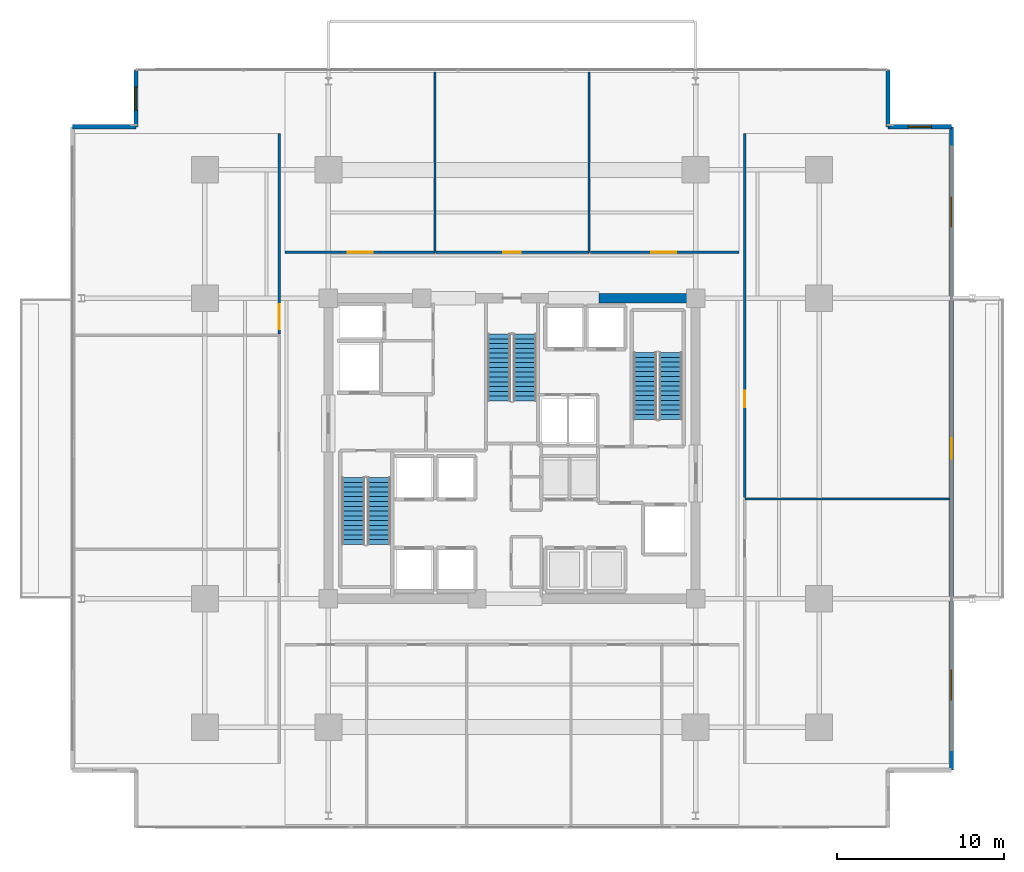
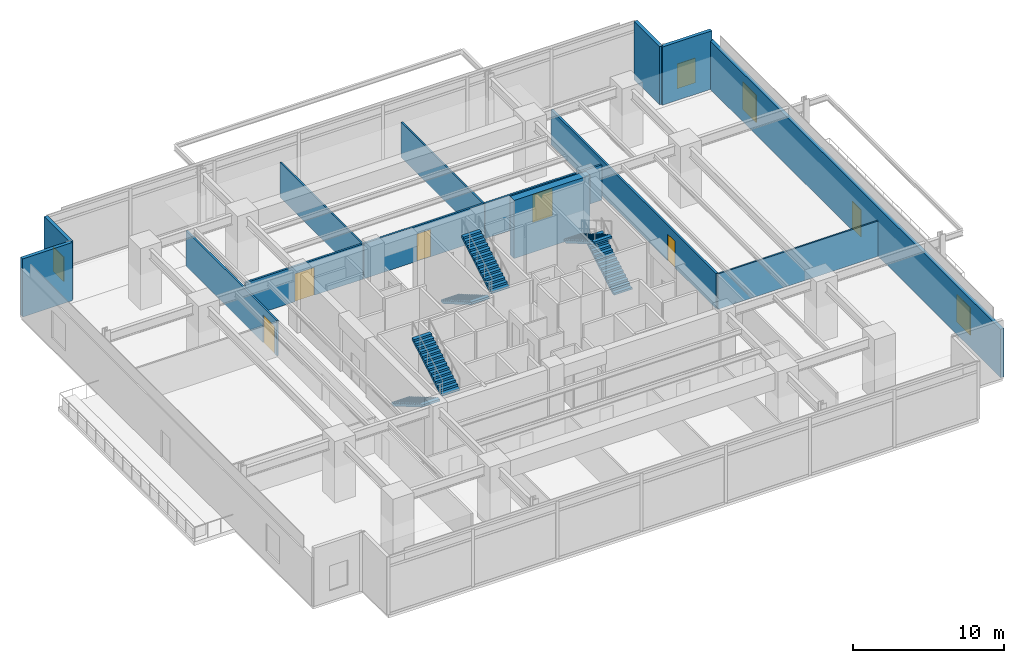
# One storey, part 19 of 24: 14 walls, 6 doors, 6 stair flights, 4 windows, 10 openings, 3 elements without a shape of their own.
"""IFC4 building model written with IfcOpenShell, lengths in metres."""

from ifc_helpers import new_model, si_unit, direction, frame, frame_2d, origin, place, context, subcontext, project, spatial, polyline, rectangle, outline, extrude, material, layer, layer_set, type_object, element, fill, aggregate, save


model = new_model("IFC4")

# Units and contexts
model_context = context("Model", 3, precision=1e-05, world=origin(), true_north=direction((0.0, 1.0)))
body_context = subcontext(model_context, "Body", "Model", "MODEL_VIEW")
ifc_project = project(units=[si_unit("LENGTHUNIT", "METRE"), si_unit("AREAUNIT", "SQUARE_METRE"), si_unit("VOLUMEUNIT", "CUBIC_METRE"), si_unit("PLANEANGLEUNIT", "RADIAN"), si_unit("MASSUNIT", "GRAM", prefix="KILO")], contexts=[model_context])

# Site, building, storey
site_placement = place(None, origin())
site = spatial("IfcSite", under=ifc_project, at=site_placement, CompositionType="ELEMENT")
building_placement = place(site_placement, origin())
building = spatial("IfcBuilding", under=site, at=building_placement, Name="Kovane Verandah Tower", CompositionType="ELEMENT")
storey_placement = place(building_placement, frame((0.0, 0.0, 118.39990234375)))
storey = spatial("IfcBuildingStorey", under=building, at=storey_placement, Name="L27", CompositionType="ELEMENT", Elevation=118.39990234375)

# Wall, opening, door
ifc_material_1 = material(Name="Fire-Rated Gypsum Stud Partition", Category="gypsum")
ifc_layer_1 = layer(ifc_material_1, 0.14990234375)
ifc_layer_set_1 = layer_set([ifc_layer_1], Name="Fire-Rated Gypsum Stud Partition")
wall_type_1 = type_object("IfcWallType", Name="WL-COR-150", PredefinedType="PARTITIONING", material=ifc_layer_set_1)
wall_1_placement = place(storey_placement, frame((26.39990234375, 39.25, 0.0), z_axis=(0.0, 0.0, 1.0), x_axis=(1.0, 0.0, 0.0)))
wall_1 = element("IfcWall", 1, at=wall_1_placement, inside=storey, type_object=wall_type_1, Name="L27 Sky Lobby Transfer Lounge N1 Corridor Partition", PredefinedType="PARTITIONING", context=body_context, shape_type="SweptSolid", body=[
    extrude(rectangle(XDim=8.97607421875, YDim=0.14990234375, at=frame_2d((4.488037109375, 0.0))), origin(), (0.0, 0.0, 1.0), 2.85009765625),
])
opening_1_placement = place(wall_1_placement, frame((3.7529296875, 0.0, 0.0)))
opening_1 = element("IfcOpeningElement", 2, at=opening_1_placement, cuts=wall_1, Name="Opening DR-L27-016", PredefinedType="OPENING", context=body_context, shape_type="SweptSolid", body=[
    extrude(rectangle(XDim=1.5, YDim=2.25, at=frame_2d((0.75, 1.125))), frame((0.0, 0.074951171875, 0.0), z_axis=(0.0, -1.0, 0.0), x_axis=(1.0, 0.0, 0.0)), (0.0, 0.0, 1.0), 0.14990234375),
])
ifc_material_2 = material(Name="Glazed Timber Fire-Rated Double Door", Category="wood")
door_type_1 = type_object("IfcDoorType", Name="DR-CONF-1500", OperationType="DOUBLE_DOOR_SINGLE_SWING", PredefinedType="DOOR", material=ifc_material_2)
door_1_placement = place(opening_1_placement, origin())
door_1 = element("IfcDoor", 3, at=door_1_placement, inside=storey, type_object=door_type_1, Name="L27 Sky Lobby Transfer Lounge N1 Entrance Door", OperationType="DOUBLE_DOOR_SINGLE_SWING", OverallHeight=2.25, OverallWidth=1.5, PredefinedType="DOOR", context=body_context, shape_type="SweptSolid", body=[
    extrude(rectangle(XDim=1.5, YDim=2.25, at=frame_2d((0.75, 1.125))), frame((0.0, 0.02490234375, 0.0), z_axis=(0.0, -1.0, 0.0), x_axis=(1.0, 0.0, 0.0)), (0.0, 0.0, 1.0), 0.050048828125),
])
fill(opening_1, door_1)

wall_2_placement = place(storey_placement, frame((35.446044921875, 39.25, 0.0), z_axis=(0.0, 0.0, 1.0), x_axis=(1.0, 0.0, 0.0)))
wall_2 = element("IfcWall", 4, at=wall_2_placement, inside=storey, type_object=wall_type_1, Name="L27 Executive Office N2 Corridor Partition", PredefinedType="PARTITIONING", context=body_context, shape_type="SweptSolid", body=[
    extrude(rectangle(XDim=9.177978515625, YDim=0.14990234375, at=frame_2d((4.5888671875, 0.0))), origin(), (0.0, 0.0, 1.0), 2.85009765625),
])
opening_2_placement = place(wall_2_placement, frame((4.029052734375, 0.0, 0.0)))
opening_2 = element("IfcOpeningElement", 5, at=opening_2_placement, cuts=wall_2, Name="Opening DR-L27-017", PredefinedType="OPENING", context=body_context, shape_type="SweptSolid", body=[
    extrude(rectangle(XDim=1.050048828125, YDim=2.199951171875, at=frame_2d((0.52490234375, 1.10009765625))), frame((0.0, 0.074951171875, 0.0), z_axis=(0.0, -1.0, 0.0), x_axis=(1.0, 0.0, 0.0)), (0.0, 0.0, 1.0), 0.14990234375),
])
ifc_material_3 = material(Name="FSC Blackbutt Timber Fire-Rated Executive Door", Category="wood")
door_type_2 = type_object("IfcDoorType", Name="DR-EXEC-1050", OperationType="SINGLE_SWING_LEFT", PredefinedType="DOOR", material=ifc_material_3)
door_2_placement = place(opening_2_placement, origin())
door_2 = element("IfcDoor", 6, at=door_2_placement, inside=storey, type_object=door_type_2, Name="L27 Executive Office N2 Entrance Door", OperationType="SINGLE_SWING_RIGHT", OverallHeight=2.199951171875, OverallWidth=1.050048828125, PredefinedType="DOOR", context=body_context, shape_type="SweptSolid", body=[
    extrude(rectangle(XDim=1.050048828125, YDim=2.199951171875, at=frame_2d((0.52490234375, 1.10009765625))), frame((0.0, 0.02490234375, 0.0), z_axis=(0.0, -1.0, 0.0), x_axis=(1.0, 0.0, 0.0)), (0.0, 0.0, 1.0), 0.050048828125),
])
fill(opening_2, door_2)

wall_3_placement = place(storey_placement, frame((44.694091796875, 39.25, 0.0), z_axis=(0.0, 0.0, 1.0), x_axis=(1.0, 0.0, 0.0)))
wall_3 = element("IfcWall", 7, at=wall_3_placement, inside=storey, type_object=wall_type_1, Name="L27 Client Boardroom N3 Corridor Partition", PredefinedType="PARTITIONING", context=body_context, shape_type="SweptSolid", body=[
    extrude(rectangle(XDim=8.906005859375, YDim=0.14990234375, at=frame_2d((4.453125, 0.0))), origin(), (0.0, 0.0, 1.0), 2.85009765625),
])
opening_3_placement = place(wall_3_placement, frame((3.653076171875, 0.0, 0.0)))
opening_3 = element("IfcOpeningElement", 8, at=opening_3_placement, cuts=wall_3, Name="Opening DR-L27-018", PredefinedType="OPENING", context=body_context, shape_type="SweptSolid", body=[
    extrude(rectangle(XDim=1.5, YDim=2.25, at=frame_2d((0.75, 1.125))), frame((0.0, 0.074951171875, 0.0), z_axis=(0.0, -1.0, 0.0), x_axis=(1.0, 0.0, 0.0)), (0.0, 0.0, 1.0), 0.14990234375),
])
door_3_placement = place(opening_3_placement, origin())
door_3 = element("IfcDoor", 9, at=door_3_placement, inside=storey, type_object=door_type_1, Name="L27 Client Boardroom N3 Entrance Door", OperationType="DOUBLE_DOOR_SINGLE_SWING", OverallHeight=2.25, OverallWidth=1.5, PredefinedType="DOOR", context=body_context, shape_type="SweptSolid", body=[
    extrude(rectangle(XDim=1.5, YDim=2.25, at=frame_2d((0.75, 1.125))), frame((0.0, 0.02490234375, 0.0), z_axis=(0.0, -1.0, 0.0), x_axis=(1.0, 0.0, 0.0)), (0.0, 0.0, 1.0), 0.050048828125),
])
fill(opening_3, door_3)

wall_4_placement = place(storey_placement, frame((26.050048828125, 34.363525390625, 0.0), z_axis=(0.0, 0.0, 1.0), x_axis=(0.0, 1.0, 0.0)))
wall_4 = element("IfcWall", 10, at=wall_4_placement, inside=storey, type_object=wall_type_1, Name="L27 Client Boardroom W3 Corridor Partition", PredefinedType="PARTITIONING", context=body_context, shape_type="SweptSolid", body=[
    extrude(rectangle(XDim=12.00732421875, YDim=0.14990234375, at=frame_2d((6.003662109375, 0.0))), origin(), (0.0, 0.0, 1.0), 2.85009765625),
])
opening_4_placement = place(wall_4_placement, frame((0.268310546875, 0.0, 0.0)))
opening_4 = element("IfcOpeningElement", 11, at=opening_4_placement, cuts=wall_4, Name="Opening DR-L27-030", PredefinedType="OPENING", context=body_context, shape_type="SweptSolid", body=[
    extrude(rectangle(XDim=1.5, YDim=2.25, at=frame_2d((0.75, 1.125))), frame((0.0, 0.074951171875, 0.0), z_axis=(0.0, -1.0, 0.0), x_axis=(1.0, 0.0, 0.0)), (0.0, 0.0, 1.0), 0.14990234375),
])
door_4_placement = place(opening_4_placement, origin())
door_4 = element("IfcDoor", 12, at=door_4_placement, inside=storey, type_object=door_type_1, Name="L27 Client Boardroom W3 Entrance Door", OperationType="DOUBLE_DOOR_SINGLE_SWING", OverallHeight=2.25, OverallWidth=1.5, PredefinedType="DOOR", context=body_context, shape_type="SweptSolid", body=[
    extrude(rectangle(XDim=1.5, YDim=2.25, at=frame_2d((0.75, 1.125))), frame((0.0, 0.02490234375, 0.0), z_axis=(0.0, -1.0, 0.0), x_axis=(1.0, 0.0, 0.0)), (0.0, 0.0, 1.0), 0.050048828125),
])
fill(opening_4, door_4)

wall_5_placement = place(storey_placement, frame((53.949951171875, 24.55078125, 0.0), z_axis=(0.0, 0.0, 1.0), x_axis=(0.0, 1.0, 0.0)))
wall_5 = element("IfcWall", 13, at=wall_5_placement, inside=storey, type_object=wall_type_1, Name="L27 Focus Studio E2 Corridor Partition", PredefinedType="PARTITIONING", context=body_context, shape_type="SweptSolid", body=[
    extrude(rectangle(XDim=21.820068359375, YDim=0.14990234375, at=frame_2d((10.91015625, 0.0))), origin(), (0.0, 0.0, 1.0), 2.85009765625),
])
opening_5_placement = place(wall_5_placement, frame((5.424560546875, 0.0, 0.0)))
opening_5 = element("IfcOpeningElement", 14, at=opening_5_placement, cuts=wall_5, Name="Opening DR-L27-013", PredefinedType="OPENING", context=body_context, shape_type="SweptSolid", body=[
    extrude(rectangle(XDim=1.0, YDim=2.14990234375, at=frame_2d((0.5, 1.074951171875))), frame((0.0, 0.074951171875, 0.0), z_axis=(0.0, -1.0, 0.0), x_axis=(1.0, 0.0, 0.0)), (0.0, 0.0, 1.0), 0.14990234375),
])
ifc_material_4 = material(Name="FSC Spotted-Gum Timber Fire-Rated Office Door", Category="wood")
door_type_3 = type_object("IfcDoorType", Name="DR-OFF-1000", OperationType="SINGLE_SWING_LEFT", PredefinedType="DOOR", material=ifc_material_4)
door_5_placement = place(opening_5_placement, origin())
door_5 = element("IfcDoor", 15, at=door_5_placement, inside=storey, type_object=door_type_3, Name="L27 Focus Studio E2 Entrance Door", OperationType="SINGLE_SWING_LEFT", OverallHeight=2.14990234375, OverallWidth=1.0, PredefinedType="DOOR", context=body_context, shape_type="SweptSolid", body=[
    extrude(rectangle(XDim=1.0, YDim=2.14990234375, at=frame_2d((0.5, 1.074951171875))), frame((0.0, 0.02490234375, 0.0), z_axis=(0.0, -1.0, 0.0), x_axis=(1.0, 0.0, 0.0)), (0.0, 0.0, 1.0), 0.050048828125),
])
fill(opening_5, door_5)

# Walls
ifc_material_5 = material(Name="Concrete C60/75", Category="concrete")
ifc_layer_2 = layer(ifc_material_5, 0.550048828125)
ifc_layer_set_2 = layer_set([ifc_layer_2], Name="Concrete C60/75")
wall_type_2 = type_object("IfcWallType", Name="WL-CORE-550", PredefinedType="SHEAR", material=ifc_layer_set_2)
wall_6_placement = place(storey_placement, frame((45.199951171875, 36.5, 0.0), z_axis=(0.0, 0.0, 1.0), x_axis=(1.0, 0.0, 0.0)))
element("IfcWall", 16, at=wall_6_placement, inside=storey, type_object=wall_type_2, Name="L27 Core Shear Wall CN-3", PredefinedType="SHEAR", context=body_context, shape_type="SweptSolid", body=[
    extrude(rectangle(XDim=5.800048828125, YDim=0.550048828125, at=frame_2d((2.89990234375, 0.0))), origin(), (0.0, 0.0, 1.0), 4.7001953125),
])
ifc_material_6 = material(Name="Acoustic Fire-Rated Gypsum Partition", Category="gypsum")
ifc_layer_3 = layer(ifc_material_6, 0.1201171875)
ifc_layer_set_3 = layer_set([ifc_layer_3], Name="Acoustic Fire-Rated Gypsum Partition")
wall_type_3 = type_object("IfcWallType", Name="WL-PART-120", PredefinedType="PARTITIONING", material=ifc_layer_set_3)
for number, where, z_axis, x_axis, name in (
    (17, (35.3759765625, 39.25, 0.0), (0.0, 0.0, 1.0), (0.0, 1.0, 0.0), "L27 Sky Lobby Transfer Lounge N1 Dividing Partition"),
    (18, (44.6240234375, 39.25, 0.0), (0.0, 0.0, 1.0), (0.0, 1.0, 0.0), "L27 Executive Office N2 Dividing Partition"),
):
    element("IfcWall", number, at=place(storey_placement, frame(where, z_axis=z_axis, x_axis=x_axis)), inside=storey, type_object=wall_type_3, Name=name, PredefinedType="PARTITIONING", context=body_context, shape_type="SweptSolid", body=[
        extrude(rectangle(XDim=10.82080078125, YDim=0.1201171875, at=frame_2d((5.410400390625, 0.0))), origin(), (0.0, 0.0, 1.0), 2.85009765625),
    ])
wall_7_placement = place(storey_placement, frame((53.949951171875, 24.480712890625, 0.0), z_axis=(0.0, 0.0, 1.0), x_axis=(1.0, 0.0, 0.0)))
element("IfcWall", 19, at=wall_7_placement, inside=storey, type_object=wall_type_3, Name="L27 Meeting Room E1 Dividing Partition", PredefinedType="PARTITIONING", context=body_context, shape_type="SweptSolid", body=[
    extrude(rectangle(XDim=12.280029296875, YDim=0.1201171875, at=frame_2d((6.14013671875, 0.0))), origin(), (0.0, 0.0, 1.0), 2.85009765625),
])

# Wall, openings, door, windows
ifc_material_7 = material(Name="Concrete C45/55 Insulated Spandrel Wall", Category="concrete")
ifc_layer_4 = layer(ifc_material_7, 0.260009765625)
ifc_layer_set_4 = layer_set([ifc_layer_4], Name="Concrete C45/55 Insulated Spandrel Wall")
wall_type_4 = type_object("IfcWallType", Name="WL-SPANDREL-260", PredefinedType="PARAPET", material=ifc_layer_set_4)
wall_8_placement = place(storey_placement, frame((66.329833984375, 8.22900390625, 0.0), z_axis=(0.0, 0.0, 1.0), x_axis=(0.0, 1.0, 0.0)))
wall_8 = element("IfcWall", 20, at=wall_8_placement, inside=storey, type_object=wall_type_4, Name="L27 E Verandah Access Facade Wall", PredefinedType="PARAPET", context=body_context, shape_type="SweptSolid", body=[
    extrude(rectangle(XDim=38.5419921875, YDim=0.260009765625, at=frame_2d((19.27099609375, 0.0))), origin(), (0.0, 0.0, 1.0), 3.910400390625),
])
opening_6_placement = place(wall_8_placement, frame((4.199951171875, 0.0, 0.85009765625)))
opening_6 = element("IfcOpeningElement", 21, at=opening_6_placement, cuts=wall_8, Name="Opening W-03", PredefinedType="OPENING", context=body_context, shape_type="SweptSolid", body=[
    extrude(rectangle(XDim=1.800048828125, YDim=2.199951171875, at=frame_2d((0.89990234375, 1.10009765625))), frame((0.0, 0.1298828125, 0.0), z_axis=(0.0, -1.0, 0.0), x_axis=(1.0, 0.0, 0.0)), (0.0, 0.0, 1.0), 0.260009765625),
])
opening_7_placement = place(wall_8_placement, frame((18.6708984375, 0.0, 0.0)))
opening_7 = element("IfcOpeningElement", 22, at=opening_7_placement, cuts=wall_8, Name="Opening DR-L27-001", PredefinedType="OPENING", context=body_context, shape_type="SweptSolid", body=[
    extrude(rectangle(XDim=1.199951171875, YDim=2.199951171875, at=frame_2d((0.60009765625, 1.10009765625))), frame((0.0, 0.1298828125, 0.0), z_axis=(0.0, -1.0, 0.0), x_axis=(1.0, 0.0, 0.0)), (0.0, 0.0, 1.0), 0.260009765625),
])
opening_8_placement = place(wall_8_placement, frame((32.541748046875, 0.0, 0.85009765625)))
opening_8 = element("IfcOpeningElement", 23, at=opening_8_placement, cuts=wall_8, Name="Opening W-03", PredefinedType="OPENING", context=body_context, shape_type="SweptSolid", body=[
    extrude(rectangle(XDim=1.800048828125, YDim=2.199951171875, at=frame_2d((0.89990234375, 1.10009765625))), frame((0.0, 0.1298828125, 0.0), z_axis=(0.0, -1.0, 0.0), x_axis=(1.0, 0.0, 0.0)), (0.0, 0.0, 1.0), 0.260009765625),
])
ifc_material_8 = material(Name="Cyclone-Rated Glazed Balcony Leaf Door", Category="aluminium")
door_type_4 = type_object("IfcDoorType", Name="DR-BAL-1200x2200", OperationType="SINGLE_SWING_LEFT", PredefinedType="DOOR", material=ifc_material_8)
door_6_placement = place(opening_7_placement, origin())
door_6 = element("IfcDoor", 24, at=door_6_placement, inside=storey, type_object=door_type_4, Name="L27 E Planted Balcony Access Door", OperationType="SINGLE_SWING_LEFT", OverallHeight=2.199951171875, OverallWidth=1.199951171875, PredefinedType="DOOR", context=body_context, shape_type="SweptSolid", body=[
    extrude(rectangle(XDim=1.199951171875, YDim=2.199951171875, at=frame_2d((0.60009765625, 1.10009765625))), frame((0.0, 0.02490234375, 0.0), z_axis=(0.0, -1.0, 0.0), x_axis=(1.0, 0.0, 0.0)), (0.0, 0.0, 1.0), 0.050048828125),
])
fill(opening_7, door_6)
ifc_material_9 = material(Name="Clear Low-E Laminated Double Glazing in Anodised Frame", Category="glass")
window_type_1 = type_object("IfcWindowType", Name="WN-NOTCH-1800x2200", PartitioningType="SINGLE_PANEL", PredefinedType="WINDOW", material=ifc_material_9)
window_1_placement = place(opening_6_placement, origin())
window_1 = element("IfcWindow", 25, at=window_1_placement, inside=storey, type_object=window_type_1, Name="L27 E Verandah View Window 1", OverallHeight=2.199951171875, OverallWidth=1.800048828125, PartitioningType="SINGLE_PANEL", PredefinedType="WINDOW", context=body_context, shape_type="SweptSolid", body=[
    extrude(rectangle(XDim=1.800048828125, YDim=2.199951171875, at=frame_2d((0.89990234375, 1.10009765625))), frame((0.0, 0.030029296875, 0.0), z_axis=(0.0, -1.0, 0.0), x_axis=(1.0, 0.0, 0.0)), (0.0, 0.0, 1.0), 0.06005859375),
])
fill(opening_6, window_1)
window_2_placement = place(opening_8_placement, origin())
window_2 = element("IfcWindow", 26, at=window_2_placement, inside=storey, type_object=window_type_1, Name="L27 E Verandah View Window 2", OverallHeight=2.199951171875, OverallWidth=1.800048828125, PartitioningType="SINGLE_PANEL", PredefinedType="WINDOW", context=body_context, shape_type="SweptSolid", body=[
    extrude(rectangle(XDim=1.800048828125, YDim=2.199951171875, at=frame_2d((0.89990234375, 1.10009765625))), frame((0.0, 0.030029296875, 0.0), z_axis=(0.0, -1.0, 0.0), x_axis=(1.0, 0.0, 0.0)), (0.0, 0.0, 1.0), 0.06005859375),
])
fill(opening_8, window_2)

# Wall, opening, window
wall_9_placement = place(storey_placement, frame((66.329833984375, 46.77099609375, 0.0), z_axis=(0.0, 0.0, 1.0), x_axis=(-1.0, 0.0, 0.0)))
wall_9 = element("IfcWall", 27, at=wall_9_placement, inside=storey, type_object=wall_type_4, Name="L27 NE Notch Cheek Wall 1", PredefinedType="PARAPET", context=body_context, shape_type="SweptSolid", body=[
    extrude(rectangle(XDim=3.800048828125, YDim=0.260009765625, at=frame_2d((1.89990234375, 0.0))), origin(), (0.0, 0.0, 1.0), 4.7001953125),
])
opening_9_placement = place(wall_9_placement, frame((1.199951171875, 0.0, 0.85009765625)))
opening_9 = element("IfcOpeningElement", 28, at=opening_9_placement, cuts=wall_9, Name="Opening W-01", PredefinedType="OPENING", context=body_context, shape_type="SweptSolid", body=[
    extrude(rectangle(XDim=1.39990234375, YDim=2.0, at=frame_2d((0.699951171875, 1.0))), frame((0.0, 0.1298828125, 0.0), z_axis=(0.0, -1.0, 0.0), x_axis=(1.0, 0.0, 0.0)), (0.0, 0.0, 1.0), 0.260009765625),
])
window_type_2 = type_object("IfcWindowType", Name="WN-OPER-1400x2000", PartitioningType="SINGLE_PANEL", PredefinedType="WINDOW", material=ifc_material_9)
window_3_placement = place(opening_9_placement, origin())
window_3 = element("IfcWindow", 29, at=window_3_placement, inside=storey, type_object=window_type_2, Name="L27 NE Re-Entrant Corner Operable Window", OverallHeight=2.0, OverallWidth=1.39990234375, PartitioningType="SINGLE_PANEL", PredefinedType="WINDOW", context=body_context, shape_type="SweptSolid", body=[
    extrude(rectangle(XDim=1.39990234375, YDim=2.0, at=frame_2d((0.699951171875, 1.0))), frame((0.0, 0.030029296875, 0.0), z_axis=(0.0, -1.0, 0.0), x_axis=(1.0, 0.0, 0.0)), (0.0, 0.0, 1.0), 0.06005859375),
])
fill(opening_9, window_3)

# Wall
wall_10_placement = place(storey_placement, frame((62.52978515625, 46.77099609375, 0.0), z_axis=(0.0, 0.0, 1.0), x_axis=(0.0, 1.0, 0.0)))
element("IfcWall", 30, at=wall_10_placement, inside=storey, type_object=wall_type_4, Name="L27 NE Notch Cheek Wall 2", PredefinedType="PARAPET", context=body_context, shape_type="SweptSolid", body=[
    extrude(rectangle(XDim=3.39990234375, YDim=0.260009765625, at=frame_2d((1.699951171875, 0.0))), origin(), (0.0, 0.0, 1.0), 4.7001953125),
])

# Wall, opening, window
wall_11_placement = place(storey_placement, frame((17.47021484375, 50.1708984375, 0.0), z_axis=(0.0, 0.0, 1.0), x_axis=(0.0, -1.0, 0.0)))
wall_11 = element("IfcWall", 31, at=wall_11_placement, inside=storey, type_object=wall_type_4, Name="L27 NW Notch Cheek Wall 1", PredefinedType="PARAPET", context=body_context, shape_type="SweptSolid", body=[
    extrude(rectangle(XDim=3.39990234375, YDim=0.260009765625, at=frame_2d((1.699951171875, 0.0))), origin(), (0.0, 0.0, 1.0), 4.7001953125),
])
opening_10_placement = place(wall_11_placement, frame((1.0, 0.0, 0.85009765625)))
opening_10 = element("IfcOpeningElement", 32, at=opening_10_placement, cuts=wall_11, Name="Opening W-01", PredefinedType="OPENING", context=body_context, shape_type="SweptSolid", body=[
    extrude(rectangle(XDim=1.39990234375, YDim=2.0, at=frame_2d((0.699951171875, 1.0))), frame((0.0, 0.1298828125, 0.0), z_axis=(0.0, -1.0, 0.0), x_axis=(1.0, 0.0, 0.0)), (0.0, 0.0, 1.0), 0.260009765625),
])
window_4_placement = place(opening_10_placement, origin())
window_4 = element("IfcWindow", 33, at=window_4_placement, inside=storey, type_object=window_type_2, Name="L27 NW Re-Entrant Corner Operable Window", OverallHeight=2.0, OverallWidth=1.39990234375, PartitioningType="SINGLE_PANEL", PredefinedType="WINDOW", context=body_context, shape_type="SweptSolid", body=[
    extrude(rectangle(XDim=1.39990234375, YDim=2.0, at=frame_2d((0.699951171875, 1.0))), frame((0.0, 0.030029296875, 0.0), z_axis=(0.0, -1.0, 0.0), x_axis=(1.0, 0.0, 0.0)), (0.0, 0.0, 1.0), 0.06005859375),
])
fill(opening_10, window_4)

# Wall
wall_12_placement = place(storey_placement, frame((17.47021484375, 46.77099609375, 0.0), z_axis=(0.0, 0.0, 1.0), x_axis=(-1.0, 0.0, 0.0)))
element("IfcWall", 34, at=wall_12_placement, inside=storey, type_object=wall_type_4, Name="L27 NW Notch Cheek Wall 2", PredefinedType="PARAPET", context=body_context, shape_type="SweptSolid", body=[
    extrude(rectangle(XDim=3.800048828125, YDim=0.260009765625, at=frame_2d((1.89990234375, 0.0))), origin(), (0.0, 0.0, 1.0), 4.7001953125),
])

# Stair, stair flights
ifc_material_10 = material(Name="Concrete C45/55", Category="concrete")
stair_type = type_object("IfcStairType", Name="ST-CORE-1380", PredefinedType="HALF_TURN_STAIR", material=ifc_material_10)
stair_1_placement = place(storey_placement, origin())
stair_1 = element("IfcStair", 35, at=stair_1_placement, inside=storey, type_object=stair_type, Name="L27 Exit Stair ST-01", PredefinedType="HALF_TURN_STAIR")
stair_flight_type = type_object("IfcStairFlightType", Name="STF-CORE-1380", PredefinedType="STRAIGHT", material=ifc_material_10)
stair_flight_1_placement = place(storey_placement, frame((30.489990234375, 25.75, 0.0), z_axis=(0.0, 0.0, 1.0), x_axis=(0.0, -1.0, 0.0)))
stair_flight_1 = element("IfcStairFlight", 36, at=stair_flight_1_placement, type_object=stair_flight_type, Name="ST-01 flight 1", NumberOfRisers=15, NumberOfTreads=14, PredefinedType="STRAIGHT", RiserHeight=0.166666667, TreadLength=0.285, context=body_context, shape_type="SweptSolid", body=[
    extrude(outline(polyline([(0.0, 0.0), (0.0, 0.166748046875), (0.284912109375, 0.166748046875), (0.284912109375, 0.333251953125), (0.570068359375, 0.333251953125), (0.570068359375, 0.5), (0.85498046875, 0.5), (0.85498046875, 0.666748046875), (1.139892578125, 0.666748046875), (1.139892578125, 0.833251953125), (1.425048828125, 0.833251953125), (1.425048828125, 1.0), (1.7099609375, 1.0), (1.7099609375, 1.166748046875), (1.9951171875, 1.166748046875), (1.9951171875, 1.333251953125), (2.280029296875, 1.333251953125), (2.280029296875, 1.5), (2.56494140625, 1.5), (2.56494140625, 1.666748046875), (2.85009765625, 1.666748046875), (2.85009765625, 1.833251953125), (3.135009765625, 1.833251953125), (3.135009765625, 2.0), (3.419921875, 2.0), (3.419921875, 2.166748046875), (3.705078125, 2.166748046875), (3.705078125, 2.333251953125), (3.989990234375, 2.333251953125), (3.989990234375, 2.5), (3.989990234375, 2.15966796875), (0.296875, 0.0), (0.0, 0.0)])), frame((0.0, 0.68994140625, 0.0), z_axis=(0.0, -1.0, 0.0), x_axis=(1.0, 0.0, 0.0)), (0.0, 0.0, 1.0), 1.3798828125),
])
stair_flight_2_placement = place(storey_placement, frame((32.030029296875, 21.760009765625, 2.5), z_axis=(0.0, 0.0, 1.0), x_axis=(0.0, 1.0, 0.0)))
stair_flight_2 = element("IfcStairFlight", 37, at=stair_flight_2_placement, type_object=stair_flight_type, Name="ST-01 flight 2", NumberOfRisers=15, NumberOfTreads=14, PredefinedType="STRAIGHT", RiserHeight=0.166666667, TreadLength=0.285, context=body_context, shape_type="SweptSolid", body=[
    extrude(outline(polyline([(0.0, 0.0), (0.0, 0.166748046875), (0.284912109375, 0.166748046875), (0.284912109375, 0.333251953125), (0.570068359375, 0.333251953125), (0.570068359375, 0.5), (0.85498046875, 0.5), (0.85498046875, 0.666748046875), (1.139892578125, 0.666748046875), (1.139892578125, 0.833251953125), (1.425048828125, 0.833251953125), (1.425048828125, 1.0), (1.7099609375, 1.0), (1.7099609375, 1.166748046875), (1.9951171875, 1.166748046875), (1.9951171875, 1.333251953125), (2.280029296875, 1.333251953125), (2.280029296875, 1.5), (2.56494140625, 1.5), (2.56494140625, 1.666748046875), (2.85009765625, 1.666748046875), (2.85009765625, 1.833251953125), (3.135009765625, 1.833251953125), (3.135009765625, 2.0), (3.419921875, 2.0), (3.419921875, 2.166748046875), (3.705078125, 2.166748046875), (3.705078125, 2.333251953125), (3.989990234375, 2.333251953125), (3.989990234375, 2.5), (3.989990234375, 2.15966796875), (0.296875, 0.0), (0.0, 0.0)])), frame((0.0, 0.68994140625, 0.0), z_axis=(0.0, -1.0, 0.0), x_axis=(1.0, 0.0, 0.0)), (0.0, 0.0, 1.0), 1.3798828125),
])
aggregate(stair_1, [stair_flight_1, stair_flight_2])

stair_2_placement = place(storey_placement, origin())
stair_2 = element("IfcStair", 38, at=stair_2_placement, inside=storey, type_object=stair_type, Name="L27 Exit Stair ST-02", PredefinedType="HALF_TURN_STAIR")
stair_flight_3_placement = place(storey_placement, frame((49.510009765625, 29.25, 0.0), z_axis=(0.0, 0.0, 1.0), x_axis=(0.0, 1.0, 0.0)))
stair_flight_3 = element("IfcStairFlight", 39, at=stair_flight_3_placement, type_object=stair_flight_type, Name="ST-02 flight 1", NumberOfRisers=15, NumberOfTreads=14, PredefinedType="STRAIGHT", RiserHeight=0.166666667, TreadLength=0.285, context=body_context, shape_type="SweptSolid", body=[
    extrude(outline(polyline([(0.0, 0.0), (0.0, 0.166748046875), (0.284912109375, 0.166748046875), (0.284912109375, 0.333251953125), (0.570068359375, 0.333251953125), (0.570068359375, 0.5), (0.85498046875, 0.5), (0.85498046875, 0.666748046875), (1.139892578125, 0.666748046875), (1.139892578125, 0.833251953125), (1.425048828125, 0.833251953125), (1.425048828125, 1.0), (1.7099609375, 1.0), (1.7099609375, 1.166748046875), (1.9951171875, 1.166748046875), (1.9951171875, 1.333251953125), (2.280029296875, 1.333251953125), (2.280029296875, 1.5), (2.56494140625, 1.5), (2.56494140625, 1.666748046875), (2.85009765625, 1.666748046875), (2.85009765625, 1.833251953125), (3.135009765625, 1.833251953125), (3.135009765625, 2.0), (3.419921875, 2.0), (3.419921875, 2.166748046875), (3.705078125, 2.166748046875), (3.705078125, 2.333251953125), (3.989990234375, 2.333251953125), (3.989990234375, 2.5), (3.989990234375, 2.15966796875), (0.296875, 0.0), (0.0, 0.0)])), frame((0.0, 0.68994140625, 0.0), z_axis=(0.0, -1.0, 0.0), x_axis=(1.0, 0.0, 0.0)), (0.0, 0.0, 1.0), 1.3798828125),
])
stair_flight_4_placement = place(storey_placement, frame((47.969970703125, 33.239990234375, 2.5), z_axis=(0.0, 0.0, 1.0), x_axis=(0.0, -1.0, 0.0)))
stair_flight_4 = element("IfcStairFlight", 40, at=stair_flight_4_placement, type_object=stair_flight_type, Name="ST-02 flight 2", NumberOfRisers=15, NumberOfTreads=14, PredefinedType="STRAIGHT", RiserHeight=0.166666667, TreadLength=0.285, context=body_context, shape_type="SweptSolid", body=[
    extrude(outline(polyline([(0.0, 0.0), (0.0, 0.166748046875), (0.284912109375, 0.166748046875), (0.284912109375, 0.333251953125), (0.570068359375, 0.333251953125), (0.570068359375, 0.5), (0.85498046875, 0.5), (0.85498046875, 0.666748046875), (1.139892578125, 0.666748046875), (1.139892578125, 0.833251953125), (1.425048828125, 0.833251953125), (1.425048828125, 1.0), (1.7099609375, 1.0), (1.7099609375, 1.166748046875), (1.9951171875, 1.166748046875), (1.9951171875, 1.333251953125), (2.280029296875, 1.333251953125), (2.280029296875, 1.5), (2.56494140625, 1.5), (2.56494140625, 1.666748046875), (2.85009765625, 1.666748046875), (2.85009765625, 1.833251953125), (3.135009765625, 1.833251953125), (3.135009765625, 2.0), (3.419921875, 2.0), (3.419921875, 2.166748046875), (3.705078125, 2.166748046875), (3.705078125, 2.333251953125), (3.989990234375, 2.333251953125), (3.989990234375, 2.5), (3.989990234375, 2.15966796875), (0.296875, 0.0), (0.0, 0.0)])), frame((0.0, 0.68994140625, 0.0), z_axis=(0.0, -1.0, 0.0), x_axis=(1.0, 0.0, 0.0)), (0.0, 0.0, 1.0), 1.3798828125),
])
aggregate(stair_2, [stair_flight_3, stair_flight_4])

stair_3_placement = place(storey_placement, origin())
stair_3 = element("IfcStair", 41, at=stair_3_placement, inside=storey, type_object=stair_type, Name="L27 Exit Stair ST-03", PredefinedType="HALF_TURN_STAIR")
stair_flight_5_placement = place(storey_placement, frame((39.22998046875, 34.35009765625, 0.0), z_axis=(0.0, 0.0, 1.0), x_axis=(0.0, -1.0, 0.0)))
stair_flight_5 = element("IfcStairFlight", 42, at=stair_flight_5_placement, type_object=stair_flight_type, Name="ST-03 flight 1", NumberOfRisers=15, NumberOfTreads=14, PredefinedType="STRAIGHT", RiserHeight=0.166666667, TreadLength=0.285, context=body_context, shape_type="SweptSolid", body=[
    extrude(outline(polyline([(0.0, 0.0), (0.0, 0.166748046875), (0.284912109375, 0.166748046875), (0.284912109375, 0.333251953125), (0.570068359375, 0.333251953125), (0.570068359375, 0.5), (0.85498046875, 0.5), (0.85498046875, 0.666748046875), (1.139892578125, 0.666748046875), (1.139892578125, 0.833251953125), (1.425048828125, 0.833251953125), (1.425048828125, 1.0), (1.7099609375, 1.0), (1.7099609375, 1.166748046875), (1.9951171875, 1.166748046875), (1.9951171875, 1.333251953125), (2.280029296875, 1.333251953125), (2.280029296875, 1.5), (2.56494140625, 1.5), (2.56494140625, 1.666748046875), (2.85009765625, 1.666748046875), (2.85009765625, 1.833251953125), (3.135009765625, 1.833251953125), (3.135009765625, 2.0), (3.419921875, 2.0), (3.419921875, 2.166748046875), (3.705078125, 2.166748046875), (3.705078125, 2.333251953125), (3.989990234375, 2.333251953125), (3.989990234375, 2.5), (3.989990234375, 2.15966796875), (0.296875, 0.0), (0.0, 0.0)])), frame((0.0, 0.68994140625, 0.0), z_axis=(0.0, -1.0, 0.0), x_axis=(1.0, 0.0, 0.0)), (0.0, 0.0, 1.0), 1.3798828125),
])
stair_flight_6_placement = place(storey_placement, frame((40.77001953125, 30.360107421875, 2.5), z_axis=(0.0, 0.0, 1.0), x_axis=(0.0, 1.0, 0.0)))
stair_flight_6 = element("IfcStairFlight", 43, at=stair_flight_6_placement, type_object=stair_flight_type, Name="ST-03 flight 2", NumberOfRisers=15, NumberOfTreads=14, PredefinedType="STRAIGHT", RiserHeight=0.166666667, TreadLength=0.285, context=body_context, shape_type="SweptSolid", body=[
    extrude(outline(polyline([(0.0, 0.0), (0.0, 0.166748046875), (0.284912109375, 0.166748046875), (0.284912109375, 0.333251953125), (0.570068359375, 0.333251953125), (0.570068359375, 0.5), (0.85498046875, 0.5), (0.85498046875, 0.666748046875), (1.139892578125, 0.666748046875), (1.139892578125, 0.833251953125), (1.425048828125, 0.833251953125), (1.425048828125, 1.0), (1.7099609375, 1.0), (1.7099609375, 1.166748046875), (1.9951171875, 1.166748046875), (1.9951171875, 1.333251953125), (2.280029296875, 1.333251953125), (2.280029296875, 1.5), (2.56494140625, 1.5), (2.56494140625, 1.666748046875), (2.85009765625, 1.666748046875), (2.85009765625, 1.833251953125), (3.135009765625, 1.833251953125), (3.135009765625, 2.0), (3.419921875, 2.0), (3.419921875, 2.166748046875), (3.705078125, 2.166748046875), (3.705078125, 2.333251953125), (3.989990234375, 2.333251953125), (3.989990234375, 2.5), (3.989990234375, 2.15966796875), (0.296875, 0.0), (0.0, 0.0)])), frame((0.0, 0.68994140625, 0.0), z_axis=(0.0, -1.0, 0.0), x_axis=(1.0, 0.0, 0.0)), (0.0, 0.0, 1.0), 1.3798828125),
])
aggregate(stair_3, [stair_flight_5, stair_flight_6])

save(model, "model.ifc")
